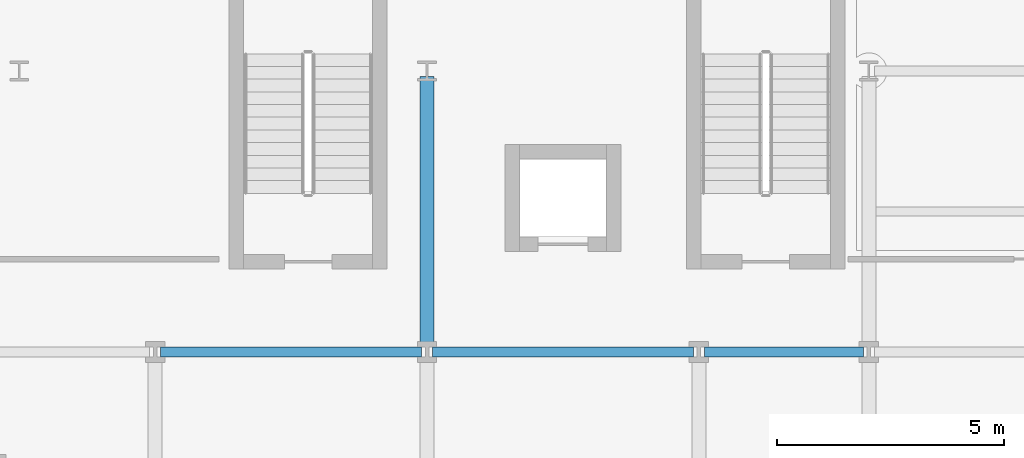
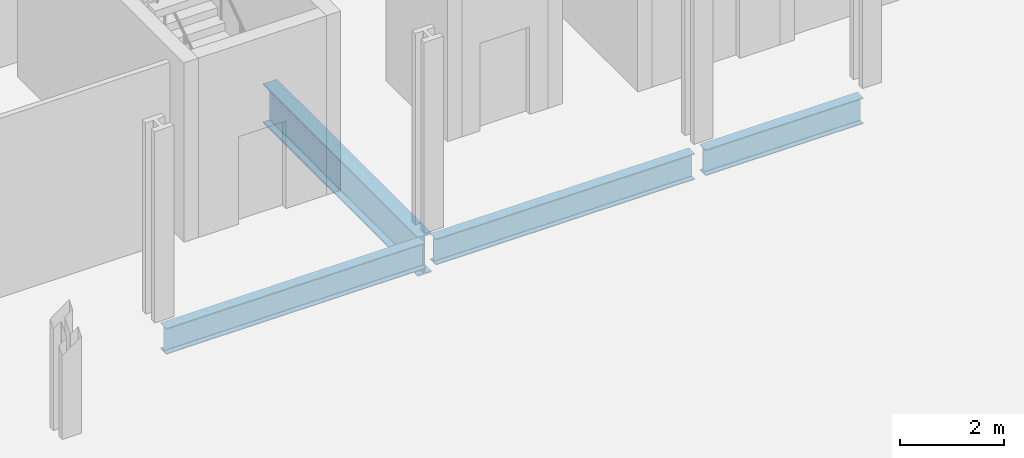
# One storey, part 6 of 25: 4 beams.
"""IFC4 building model written with IfcOpenShell, lengths in metres."""

import ifcopenshell
import ifcopenshell.guid

model = None  # the IFC model being written
_history = None  # IfcOwnerHistory: only IFC2X3 demands one
_inside = {}  # id of a spatial element -> (the spatial element, [elements in it])
_under = {}  # id of a project, library or spatial element -> (it, [spatial elements below it])
_declared = {}  # id of a project -> (the project, [libraries it declares])
_typed = {}  # id of a type object -> (the type object, [elements of that type])
_made_of = {}  # id of a material, layer set ... -> (it, [elements and type objects made of it])


def new_model(schema):
    """Start an empty IFC model of exactly this schema.

    Asked for "IFC4X3", IfcOpenShell would pick the latest addendum, in which some entities
    have other attributes; the version numbers below select the first issue.
    IFC2X3 requires an IfcOwnerHistory on every rooted entity: one is made here for all.
    """
    global model, _history
    if schema == "IFC4X3":
        model = ifcopenshell.file(schema_version=(4, 3, 0, 0))
    else:
        model = ifcopenshell.file(schema=schema)
    _inside.clear()
    _under.clear()
    _declared.clear()
    _typed.clear()
    _made_of.clear()
    _history = None
    if model.schema == "IFC2X3":
        org = make("IfcOrganization", Name="unknown")
        user = make(
            "IfcPersonAndOrganization",
            ThePerson=make("IfcPerson", FamilyName="unknown"),
            TheOrganization=org,
        )
        app = make(
            "IfcApplication",
            ApplicationDeveloper=org,
            Version="unknown",
            ApplicationFullName="unknown",
            ApplicationIdentifier="unknown",
        )
        _history = make(
            "IfcOwnerHistory",
            OwningUser=user,
            OwningApplication=app,
            ChangeAction="ADDED",
            CreationDate=0,
        )
    return model


def make(cls, **values):
    """One entity of the class cls with the attributes given. An attribute that is None is left unset."""
    return model.create_entity(
        cls, **{name: value for name, value in values.items() if value is not None}
    )


def rooted(cls, **values):
    """An entity with a GlobalId (a new one), such as an element, a storey or a relation."""
    return make(cls, GlobalId=ifcopenshell.guid.new(), OwnerHistory=_history, **values)


def si_unit(unit_type, name, prefix=None):
    """IfcSIUnit, for example si_unit("LENGTHUNIT", "METRE", prefix="MILLI")."""
    return make("IfcSIUnit", UnitType=unit_type, Prefix=prefix, Name=name)


def assignment(units):
    """IfcUnitAssignment: the units of a project."""
    return None if units is None else make("IfcUnitAssignment", Units=units)


def point(xyz):
    """IfcCartesianPoint."""
    return None if xyz is None else make("IfcCartesianPoint", Coordinates=xyz)


def direction(xyz):
    """IfcDirection."""
    return None if xyz is None else make("IfcDirection", DirectionRatios=xyz)


def frame(location, z_axis=None, x_axis=None):
    """IfcAxis2Placement3D, a coordinate frame: its origin and axes. An axis left out is left unset."""
    return make(
        "IfcAxis2Placement3D",
        Location=point(location),
        Axis=direction(z_axis),
        RefDirection=direction(x_axis),
    )


def frame_2d(location, x_axis=None):
    """IfcAxis2Placement2D, a coordinate frame in the plane: its origin and x axis."""
    return make(
        "IfcAxis2Placement2D", Location=point(location), RefDirection=direction(x_axis)
    )


def origin():
    """The frame at (0, 0, 0) with its axes left unset."""
    return frame((0.0, 0.0, 0.0))


def origin_2d():
    """The frame at (0, 0) in the plane with its x axis left unset."""
    return frame_2d((0.0, 0.0))


def place(relative_to, where):
    """IfcLocalPlacement: puts the frame where relative to a parent placement (None: the world)."""
    return make(
        "IfcLocalPlacement", PlacementRelTo=relative_to, RelativePlacement=where
    )


def context(
    kind, dimensions, precision=None, world=None, true_north=None, identifier=None
):
    """IfcGeometricRepresentationContext, for example the 3D "Model" context."""
    return make(
        "IfcGeometricRepresentationContext",
        ContextIdentifier=identifier,
        ContextType=kind,
        CoordinateSpaceDimension=dimensions,
        Precision=precision,
        WorldCoordinateSystem=world,
        TrueNorth=true_north,
    )


def subcontext(parent, identifier, kind, view, scale=None):
    """IfcGeometricRepresentationSubContext, for example "Body" below "Model"."""
    return make(
        "IfcGeometricRepresentationSubContext",
        ContextIdentifier=identifier,
        ContextType=kind,
        ParentContext=parent,
        TargetScale=scale,
        TargetView=view,
    )


def project(units=None, contexts=None):
    """IfcProject with its units and contexts."""
    return rooted(
        "IfcProject",
        Name="project",
        RepresentationContexts=contexts,
        UnitsInContext=assignment(units),
    )


def spatial(cls, under=None, at=None, **own):
    """A site, building, storey or space (cls), placed at a placement, below another one or the project."""
    s = rooted(cls, ObjectPlacement=at, **own)
    if under is not None:
        _under.setdefault(under.id(), (under, []))[1].append(s)
    return s


def profile(cls, at=None, kind="AREA", **sizes):
    """A parametric profile (cls). Its sizes go by their IFC names, for example OverallWidth=200.0."""
    return make(cls, ProfileType=kind, Position=at, **sizes)


def i_section(**sizes):
    """IfcIShapeProfileDef."""
    return profile("IfcIShapeProfileDef", **sizes)


def extrude(swept, where, along, depth):
    """IfcExtrudedAreaSolid: the profile swept, set in the frame where, extruded along a direction by depth."""
    return make(
        "IfcExtrudedAreaSolid",
        SweptArea=swept,
        Position=where,
        ExtrudedDirection=direction(along),
        Depth=depth,
    )


def shape(context_of_items, identifier, shape_type, items):
    """IfcShapeRepresentation: the items that make up one representation, for example the "Body"."""
    return make(
        "IfcShapeRepresentation",
        ContextOfItems=context_of_items,
        RepresentationIdentifier=identifier,
        RepresentationType=shape_type,
        Items=items,
    )


def material(Name=None, Category=None):
    """IfcMaterial."""
    return make("IfcMaterial", Name=Name, Category=Category)


def material_profile(
    of_material, cross_section, Name=None, Category=None, Priority=None
):
    """IfcMaterialProfile: a cross section and its material."""
    return make(
        "IfcMaterialProfile",
        Name=Name,
        Material=of_material,
        Profile=cross_section,
        Priority=Priority,
        Category=Category,
    )


def profile_set(profiles, Name=None, composite=None):
    """IfcMaterialProfileSet."""
    return make(
        "IfcMaterialProfileSet",
        Name=Name,
        MaterialProfiles=profiles,
        CompositeProfile=composite,
    )


def made_of(thing, what):
    """Note that an element or type object is made of a material, layer set ...; save() writes the relation."""
    if what is not None:
        _made_of.setdefault(what.id(), (what, []))[1].append(thing)
    return thing


def type_object(cls, material=None, **own):
    """A type object (cls), such as IfcWallType, which elements share."""
    return made_of(rooted(cls, **own), material)


def element(
    cls,
    number,
    at=None,
    inside=None,
    cuts=None,
    type_object=None,
    material=None,
    context=None,
    identifier="Body",
    shape_type=None,
    held_by="IfcProductDefinitionShape",
    body=None,
    shapes=None,
    **own,
):
    """One element of the class cls, such as IfcWall. Its Tag is "e" and its number.

    at: its placement. inside: the storey or other place that contains it. cuts: it is an
    opening in that element (IfcRelVoidsElement). A single representation is given by context,
    identifier, shape_type and body (its items); several are given by shapes. held_by: the class
    of the entity that holds the representations. save() writes the other relations.
    """
    e = rooted(cls, Tag="e%d" % number, ObjectPlacement=at, **own)
    if body is not None:
        shapes = [shape(context, identifier, shape_type, body)]
    if shapes is not None:
        e.Representation = make(held_by, Representations=shapes)
    if inside is not None:
        _inside.setdefault(inside.id(), (inside, []))[1].append(e)
    if cuts is not None:
        rooted(
            "IfcRelVoidsElement", RelatingBuildingElement=cuts, RelatedOpeningElement=e
        )
    if type_object is not None:
        _typed.setdefault(type_object.id(), (type_object, []))[1].append(e)
    return made_of(e, material)


def aggregate(whole, parts):
    """IfcRelAggregates: a whole, such as a stair, and the parts it consists of."""
    return rooted("IfcRelAggregates", RelatingObject=whole, RelatedObjects=parts)


def save(model, path):
    """Write the relations noted so far, then the file.

    IfcRelAggregates (storeys below a building ...), IfcRelContainedInSpatialStructure (elements
    in a storey), IfcRelDefinesByType, IfcRelAssociatesMaterial and IfcRelDeclares: one each for
    every whole, place, type object, material and project.
    """
    for whole, parts in _under.values():
        aggregate(whole, parts)
    for where, things in _inside.values():
        rooted(
            "IfcRelContainedInSpatialStructure",
            RelatedElements=things,
            RelatingStructure=where,
        )
    for kind, things in _typed.values():
        rooted("IfcRelDefinesByType", RelatedObjects=things, RelatingType=kind)
    for what, things in _made_of.values():
        rooted("IfcRelAssociatesMaterial", RelatedObjects=things, RelatingMaterial=what)
    for by, libraries in _declared.values():
        rooted("IfcRelDeclares", RelatingContext=by, RelatedDefinitions=libraries)
    model.write(path)


model = new_model("IFC4")

# Units and contexts
model_context = context("Model", 3, precision=1e-05, world=origin(), true_north=direction((0.0, 1.0)))
body_context = subcontext(model_context, "Body", "Model", "MODEL_VIEW")
ifc_project = project(units=[si_unit("LENGTHUNIT", "METRE"), si_unit("AREAUNIT", "SQUARE_METRE"), si_unit("VOLUMEUNIT", "CUBIC_METRE"), si_unit("PLANEANGLEUNIT", "RADIAN"), si_unit("MASSUNIT", "GRAM", prefix="KILO")], contexts=[model_context])

# Site, building, storey
site_placement = place(None, origin())
site = spatial("IfcSite", under=ifc_project, at=site_placement, CompositionType="ELEMENT")
building_placement = place(site_placement, origin())
building = spatial("IfcBuilding", under=site, at=building_placement, Name="Brevholm Reach", CompositionType="ELEMENT")
storey_placement = place(building_placement, frame((0.0, 0.0, 4.5)))
storey = spatial("IfcBuildingStorey", under=building, at=storey_placement, Name="L01", CompositionType="ELEMENT", Elevation=4.5)

# Beams
ifc_material_1 = material(Name="Structural Steel S355J2", Category="steel")
ifc_material_profile_1 = material_profile(ifc_material_1, i_section(OverallWidth=0.22900390625, OverallDepth=0.6123046875, WebThickness=0.011962890625, FlangeThickness=0.01953125, FilletRadius=0.0126953125, at=origin_2d()), Name="UKB 610x229x125")
ifc_profile_set_1 = profile_set([ifc_material_profile_1], Name="Structural Steel S355J2")
beam_type_1 = type_object("IfcBeamType", Name="BM-SP610", PredefinedType="SPANDREL", material=ifc_profile_set_1)
for number, where, z_axis, x_axis, name in (
    (1, (6.1201171875, 31.0, -0.626220703125), (1.0, 0.0, 0.0), (0.0, 1.0, 0.0), "L01 SP-01 Framing Beam"),
    (2, (12.1201171875, 31.0, -0.626220703125), (1.0, 0.0, 0.0), (0.0, 1.0, 0.0), "L01 SP-01 Framing Beam"),
):
    element("IfcBeam", number, at=place(storey_placement, frame(where, z_axis=z_axis, x_axis=x_axis)), inside=storey, type_object=beam_type_1, Name=name, PredefinedType="SPANDREL", context=body_context, shape_type="SweptSolid", body=[
        extrude(i_section(OverallWidth=0.22900390625, OverallDepth=0.6123046875, WebThickness=0.011962890625, FlangeThickness=0.01953125, FilletRadius=0.0126953125, at=origin_2d()), origin(), (0.0, 0.0, 1.0), 5.759765625),
    ])
beam_1_placement = place(storey_placement, frame((18.1201171875, 31.0, -0.626220703125), z_axis=(1.0, 0.0, 0.0), x_axis=(0.0, 1.0, 0.0)))
element("IfcBeam", 3, at=beam_1_placement, inside=storey, type_object=beam_type_1, Name="L01 SP-01 Framing Beam", PredefinedType="SPANDREL", context=body_context, shape_type="SweptSolid", body=[
    extrude(i_section(OverallWidth=0.22900390625, OverallDepth=0.6123046875, WebThickness=0.011962890625, FlangeThickness=0.01953125, FilletRadius=0.0126953125, at=origin_2d()), origin(), (0.0, 0.0, 1.0), 3.509765625),
])
ifc_material_2 = material(Name="Structural Steel S460ML", Category="steel")
ifc_material_profile_2 = material_profile(ifc_material_2, i_section(OverallWidth=0.3076171875, OverallDepth=0.926513671875, WebThickness=0.01953125, FlangeThickness=0.031982421875, FilletRadius=0.01904296875, at=origin_2d()), Name="UKB 914x305x289")
ifc_profile_set_2 = profile_set([ifc_material_profile_2], Name="Structural Steel S460ML")
beam_type_2 = type_object("IfcBeamType", Name="BM-UKB914B", PredefinedType="USERDEFINED", material=ifc_profile_set_2)
beam_2_placement = place(storey_placement, frame((12.0, 31.1201171875, -0.783203125), z_axis=(0.0, 1.0, 0.0), x_axis=(-1.0, 0.0, 0.0)))
element("IfcBeam", 4, at=beam_2_placement, inside=storey, type_object=beam_type_2, Name="L01 G-02B Framing Beam", ObjectType="GIRDER", PredefinedType="USERDEFINED", context=body_context, shape_type="SweptSolid", body=[
    extrude(i_section(OverallWidth=0.3076171875, OverallDepth=0.926513671875, WebThickness=0.01953125, FlangeThickness=0.031982421875, FilletRadius=0.01904296875, at=origin_2d()), origin(), (0.0, 0.0, 1.0), 5.9599609375),
])

save(model, "model.ifc")
